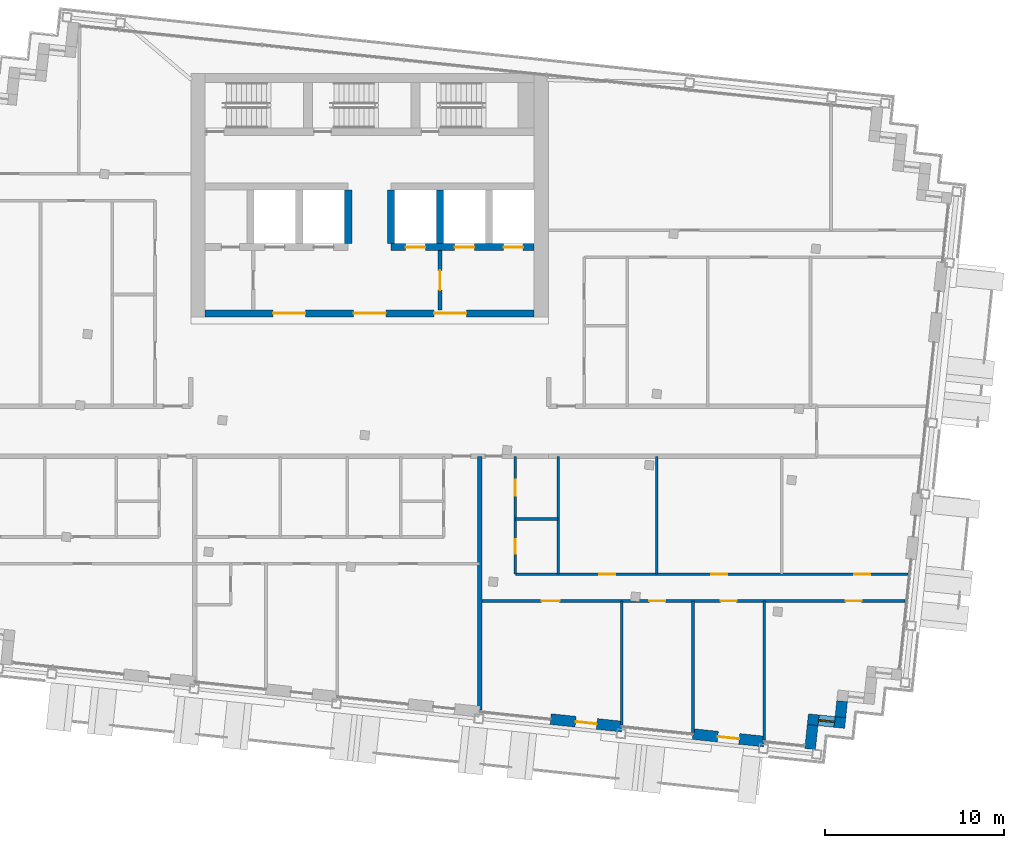
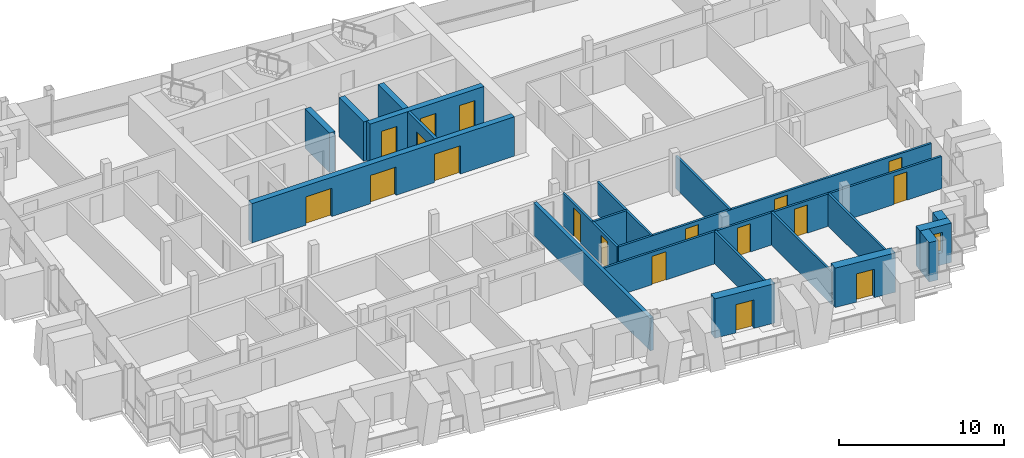
# One storey, part 10 of 16: 21 walls, 18 doors, 1 window, 19 openings.
"""IFC4 building model written with IfcOpenShell, lengths in metres."""

from ifc_helpers import new_model, si_unit, direction, frame, frame_2d, origin, place, context, subcontext, project, spatial, rectangle, extrude, material, layer, layer_set, type_object, element, fill, save


model = new_model("IFC4")

# Units and contexts
model_context = context("Model", 3, precision=1e-05, world=origin(), true_north=direction((0.0, 1.0)))
body_context = subcontext(model_context, "Body", "Model", "MODEL_VIEW")
ifc_project = project(units=[si_unit("LENGTHUNIT", "METRE"), si_unit("AREAUNIT", "SQUARE_METRE"), si_unit("VOLUMEUNIT", "CUBIC_METRE"), si_unit("PLANEANGLEUNIT", "RADIAN"), si_unit("MASSUNIT", "GRAM", prefix="KILO")], contexts=[model_context])

# Site, building, storey
site_placement = place(None, origin())
site = spatial("IfcSite", under=ifc_project, at=site_placement, CompositionType="ELEMENT")
building_placement = place(site_placement, origin())
building = spatial("IfcBuilding", under=site, at=building_placement, Name="Vidyagriha Tower", CompositionType="ELEMENT")
storey_placement = place(building_placement, frame((0.0, 0.0, 272.300048828125)))
storey = spatial("IfcBuildingStorey", under=building, at=storey_placement, Name="L71", CompositionType="ELEMENT", Elevation=272.300048828125)

# Wall, opening, door
ifc_material_1 = material(Name="Precast concrete C40/50 with brick facing", Category="concrete")
ifc_layer_1 = layer(ifc_material_1, 0.60009765625)
ifc_layer_set_1 = layer_set([ifc_layer_1], Name="Precast concrete C40/50 with brick facing")
wall_type_1 = type_object("IfcWallType", Name="Brick-faced precast wall 600", PredefinedType="STANDARD", material=ifc_layer_set_1)
wall_1_placement = place(storey_placement, frame((10.1201171875, -16.085205078125, 0.0), z_axis=(0.0, 0.0, 1.0), x_axis=(0.994519156568, -0.104554517933, 0.0)))
wall_1 = element("IfcWall", 1, at=wall_1_placement, inside=storey, type_object=wall_type_1, Name="Brick door bay wall L71 R21.9", PredefinedType="STANDARD", context=body_context, shape_type="SweptSolid", body=[
    extrude(rectangle(XDim=4.0, YDim=0.60009765625, at=frame_2d((2.0, 0.0))), origin(), (0.0, 0.0, 1.0), 2.919921875),
])
opening_1_placement = place(wall_1_placement, frame((1.39990234375, 0.0, 0.0)))
opening_1 = element("IfcOpeningElement", 2, at=opening_1_placement, cuts=wall_1, Name="Opening D71-57", PredefinedType="OPENING", context=body_context, shape_type="SweptSolid", body=[
    extrude(rectangle(XDim=1.199951171875, YDim=2.10009765625, at=frame_2d((0.60009765625, 1.050048828125))), frame((0.0, 0.31005859375, 0.0), z_axis=(0.0, -1.0, 0.0), x_axis=(1.0, 0.0, 0.0)), (0.0, 0.0, 1.0), 0.6201171875),
])
ifc_material_2 = material(Name="Aluminium framed glazed sliding door", Category="aluminium")
door_type_1 = type_object("IfcDoorType", Name="Balcony sliding door 1200x2100", OperationType="NOTDEFINED", PredefinedType="DOOR", material=ifc_material_2)
door_1_placement = place(opening_1_placement, origin())
door_1 = element("IfcDoor", 3, at=door_1_placement, inside=storey, type_object=door_type_1, Name="Door D71-57", OperationType="SLIDING_TO_LEFT", OverallHeight=2.10009765625, OverallWidth=1.199951171875, PredefinedType="DOOR", context=body_context, shape_type="SweptSolid", body=[
    extrude(rectangle(XDim=1.199951171875, YDim=2.10009765625, at=frame_2d((0.60009765625, 1.050048828125))), frame((0.0, 0.02490234375, 0.0), z_axis=(0.0, -1.0, 0.0), x_axis=(1.0, 0.0, 0.0)), (0.0, 0.0, 1.0), 0.050048828125),
])
fill(opening_1, door_1)

wall_2_placement = place(storey_placement, frame((18.076171875, -16.92138671875, 0.0), z_axis=(0.0, 0.0, 1.0), x_axis=(0.994519156568, -0.104554517933, 0.0)))
wall_2 = element("IfcWall", 4, at=wall_2_placement, inside=storey, type_object=wall_type_1, Name="Brick door bay wall L71 R21.11", PredefinedType="STANDARD", context=body_context, shape_type="SweptSolid", body=[
    extrude(rectangle(XDim=4.0, YDim=0.60009765625, at=frame_2d((2.0, 0.0))), origin(), (0.0, 0.0, 1.0), 2.919921875),
])
opening_2_placement = place(wall_2_placement, frame((1.39990234375, 0.0, 0.0)))
opening_2 = element("IfcOpeningElement", 5, at=opening_2_placement, cuts=wall_2, Name="Opening D71-58", PredefinedType="OPENING", context=body_context, shape_type="SweptSolid", body=[
    extrude(rectangle(XDim=1.199951171875, YDim=2.10009765625, at=frame_2d((0.60009765625, 1.050048828125))), frame((0.0, 0.31005859375, 0.0), z_axis=(0.0, -1.0, 0.0), x_axis=(1.0, 0.0, 0.0)), (0.0, 0.0, 1.0), 0.6201171875),
])
door_2_placement = place(opening_2_placement, origin())
door_2 = element("IfcDoor", 6, at=door_2_placement, inside=storey, type_object=door_type_1, Name="Door D71-58", OperationType="SLIDING_TO_LEFT", OverallHeight=2.10009765625, OverallWidth=1.199951171875, PredefinedType="DOOR", context=body_context, shape_type="SweptSolid", body=[
    extrude(rectangle(XDim=1.199951171875, YDim=2.10009765625, at=frame_2d((0.60009765625, 1.050048828125))), frame((0.0, 0.02490234375, 0.0), z_axis=(0.0, -1.0, 0.0), x_axis=(1.0, 0.0, 0.0)), (0.0, 0.0, 1.0), 0.050048828125),
])
fill(opening_2, door_2)

# Wall
wall_3_placement = place(storey_placement, frame((24.62451171875, -17.760498046875, 0.0), z_axis=(0.0, 0.0, 1.0), x_axis=(0.104355269718, 0.994540083497, 0.0)))
element("IfcWall", 7, at=wall_3_placement, inside=storey, type_object=wall_type_1, Name="Stepped corner wall L71 R22", PredefinedType="STANDARD", context=body_context, shape_type="SweptSolid", body=[
    extrude(rectangle(XDim=1.349853515625, YDim=0.60009765625, at=frame_2d((0.6748046875, 0.0))), origin(), (0.0, 0.0, 1.0), 2.919921875),
])

# Wall, opening, window
wall_4_placement = place(storey_placement, frame((24.49853515625, -16.088134765625, 0.0), z_axis=(0.0, 0.0, 1.0), x_axis=(0.994522640205, -0.104521376379, 0.0)))
wall_4 = element("IfcWall", 8, at=wall_4_placement, inside=storey, type_object=wall_type_1, Name="Stepped corner wall L71 R23", PredefinedType="STANDARD", context=body_context, shape_type="SweptSolid", body=[
    extrude(rectangle(XDim=2.099853515625, YDim=0.60009765625, at=frame_2d((1.0498046875, 0.0))), origin(), (0.0, 0.0, 1.0), 2.919921875),
])
opening_3_placement = place(wall_4_placement, frame((0.60009765625, 0.0, 0.89990234375)))
opening_3 = element("IfcOpeningElement", 9, at=opening_3_placement, cuts=wall_4, Name="Opening WN1", PredefinedType="OPENING", context=body_context, shape_type="SweptSolid", body=[
    extrude(rectangle(XDim=0.89990234375, YDim=1.5, at=frame_2d((0.449951171875, 0.75))), frame((0.0, 0.31005859375, 0.0), z_axis=(0.0, -1.0, 0.0), x_axis=(1.0, 0.0, 0.0)), (0.0, 0.0, 1.0), 0.6201171875),
])
ifc_material_3 = material(Name="Aluminium and glass window", Category="aluminium")
window_type = type_object("IfcWindowType", Name="Reveal window 900x1500", PartitioningType="NOTDEFINED", PredefinedType="WINDOW", material=ifc_material_3)
window_placement = place(opening_3_placement, origin())
window = element("IfcWindow", 10, at=window_placement, inside=storey, type_object=window_type, Name="Reveal window L71 R23", OverallHeight=1.5, OverallWidth=0.89990234375, PartitioningType="SINGLE_PANEL", PredefinedType="WINDOW", context=body_context, shape_type="SweptSolid", body=[
    extrude(rectangle(XDim=0.89990234375, YDim=1.5, at=frame_2d((0.449951171875, 0.75))), frame((0.0, 0.030029296875, 0.0), z_axis=(0.0, -1.0, 0.0), x_axis=(1.0, 0.0, 0.0)), (0.0, 0.0, 1.0), 0.06005859375),
])
fill(opening_3, window)

# Wall
wall_5_placement = place(storey_placement, frame((26.320068359375, -15.97802734375, 0.0), z_axis=(0.0, 0.0, 1.0), x_axis=(0.104444712852, 0.994530694326, 0.0)))
element("IfcWall", 11, at=wall_5_placement, inside=storey, type_object=wall_type_1, Name="Stepped corner wall L71 R24", PredefinedType="STANDARD", context=body_context, shape_type="SweptSolid", body=[
    extrude(rectangle(XDim=0.89990234375, YDim=0.60009765625, at=frame_2d((0.449951171875, 0.0))), origin(), (0.0, 0.0, 1.0), 2.919921875),
])

# Wall, openings, doors
ifc_material_4 = material(Name="Concrete C60/75", Category="concrete")
ifc_layer_2 = layer(ifc_material_4, 0.39990234375)
ifc_layer_set_2 = layer_set([ifc_layer_2], Name="Concrete C60/75")
wall_type_2 = type_object("IfcWallType", Name="Core shear wall 400 mm", PredefinedType="SHEAR", material=ifc_layer_set_2)
wall_6_placement = place(storey_placement, frame((-9.199951171875, 6.60009765625, 0.0)))
wall_6 = element("IfcWall", 12, at=wall_6_placement, inside=storey, type_object=wall_type_2, Name="Core south wall", PredefinedType="SHEAR", context=body_context, shape_type="SweptSolid", body=[
    extrude(rectangle(XDim=18.39990234375, YDim=0.39990234375, at=frame_2d((9.199951171875, 0.0))), origin(), (0.0, 0.0, 1.0), 2.919921875),
])
opening_4_placement = place(wall_6_placement, frame((8.300048828125, 0.0, 0.0)))
opening_4 = element("IfcOpeningElement", 13, at=opening_4_placement, cuts=wall_6, Name="Opening D71-01", PredefinedType="OPENING", context=body_context, shape_type="SweptSolid", body=[
    extrude(rectangle(XDim=1.800048828125, YDim=2.10009765625, at=frame_2d((0.89990234375, 1.050048828125))), frame((0.0, 0.2099609375, 0.0), z_axis=(0.0, -1.0, 0.0), x_axis=(1.0, 0.0, 0.0)), (0.0, 0.0, 1.0), 0.419921875),
])
opening_5_placement = place(wall_6_placement, frame((3.800048828125, 0.0, 0.0)))
opening_5 = element("IfcOpeningElement", 14, at=opening_5_placement, cuts=wall_6, Name="Opening D71-02", PredefinedType="OPENING", context=body_context, shape_type="SweptSolid", body=[
    extrude(rectangle(XDim=1.800048828125, YDim=2.10009765625, at=frame_2d((0.89990234375, 1.050048828125))), frame((0.0, 0.2099609375, 0.0), z_axis=(0.0, -1.0, 0.0), x_axis=(1.0, 0.0, 0.0)), (0.0, 0.0, 1.0), 0.419921875),
])
opening_6_placement = place(wall_6_placement, frame((12.800048828125, 0.0, 0.0)))
opening_6 = element("IfcOpeningElement", 15, at=opening_6_placement, cuts=wall_6, Name="Opening D71-03", PredefinedType="OPENING", context=body_context, shape_type="SweptSolid", body=[
    extrude(rectangle(XDim=1.800048828125, YDim=2.10009765625, at=frame_2d((0.89990234375, 1.050048828125))), frame((0.0, 0.2099609375, 0.0), z_axis=(0.0, -1.0, 0.0), x_axis=(1.0, 0.0, 0.0)), (0.0, 0.0, 1.0), 0.419921875),
])
ifc_material_5 = material(Name="Hollow metal door leaf")
door_type_2 = type_object("IfcDoorType", Name="Core lobby double door 1800 x 2100 mm EI 60", OperationType="NOTDEFINED", PredefinedType="DOOR", material=ifc_material_5)
door_3_placement = place(opening_4_placement, frame((1.800048828125, 0.0, 0.0), z_axis=(0.0, 0.0, 1.0), x_axis=(-1.0, 0.0, 0.0)))
door_3 = element("IfcDoor", 16, at=door_3_placement, inside=storey, type_object=door_type_2, Name="Core entrance door L71", OperationType="DOUBLE_DOOR_SINGLE_SWING", OverallHeight=2.10009765625, OverallWidth=1.800048828125, PredefinedType="DOOR", context=body_context, shape_type="SweptSolid", body=[
    extrude(rectangle(XDim=1.800048828125, YDim=2.10009765625, at=frame_2d((0.89990234375, 1.050048828125))), frame((0.0, 0.02490234375, 0.0), z_axis=(0.0, -1.0, 0.0), x_axis=(1.0, 0.0, 0.0)), (0.0, 0.0, 1.0), 0.050048828125),
])
fill(opening_4, door_3)
door_4_placement = place(opening_5_placement, frame((1.800048828125, 0.0, 0.0), z_axis=(0.0, 0.0, 1.0), x_axis=(-1.0, 0.0, 0.0)))
door_4 = element("IfcDoor", 17, at=door_4_placement, inside=storey, type_object=door_type_2, Name="Core entrance door west L71", OperationType="DOUBLE_DOOR_SINGLE_SWING", OverallHeight=2.10009765625, OverallWidth=1.800048828125, PredefinedType="DOOR", context=body_context, shape_type="SweptSolid", body=[
    extrude(rectangle(XDim=1.800048828125, YDim=2.10009765625, at=frame_2d((0.89990234375, 1.050048828125))), frame((0.0, 0.02490234375, 0.0), z_axis=(0.0, -1.0, 0.0), x_axis=(1.0, 0.0, 0.0)), (0.0, 0.0, 1.0), 0.050048828125),
])
fill(opening_5, door_4)
door_5_placement = place(opening_6_placement, frame((1.800048828125, 0.0, 0.0), z_axis=(0.0, 0.0, 1.0), x_axis=(-1.0, 0.0, 0.0)))
door_5 = element("IfcDoor", 18, at=door_5_placement, inside=storey, type_object=door_type_2, Name="Core entrance door east L71", OperationType="DOUBLE_DOOR_SINGLE_SWING", OverallHeight=2.10009765625, OverallWidth=1.800048828125, PredefinedType="DOOR", context=body_context, shape_type="SweptSolid", body=[
    extrude(rectangle(XDim=1.800048828125, YDim=2.10009765625, at=frame_2d((0.89990234375, 1.050048828125))), frame((0.0, 0.02490234375, 0.0), z_axis=(0.0, -1.0, 0.0), x_axis=(1.0, 0.0, 0.0)), (0.0, 0.0, 1.0), 0.050048828125),
])
fill(opening_6, door_5)

wall_7_placement = place(storey_placement, frame((1.199951171875, 10.300048828125, 0.0)))
wall_7 = element("IfcWall", 19, at=wall_7_placement, inside=storey, type_object=wall_type_2, Name="Core row N front wall", PredefinedType="SHEAR", context=body_context, shape_type="SweptSolid", body=[
    extrude(rectangle(XDim=8.0, YDim=0.39990234375, at=frame_2d((4.0, 0.0))), origin(), (0.0, 0.0, 1.0), 2.919921875),
])
opening_7_placement = place(wall_7_placement, frame((0.816650390625, 0.0, 0.0)))
opening_7 = element("IfcOpeningElement", 20, at=opening_7_placement, cuts=wall_7, Name="Opening LD71-03", PredefinedType="OPENING", context=body_context, shape_type="SweptSolid", body=[
    extrude(rectangle(XDim=1.10009765625, YDim=2.10009765625, at=frame_2d((0.550048828125, 1.050048828125))), frame((0.0, 0.2099609375, 0.0), z_axis=(0.0, -1.0, 0.0), x_axis=(1.0, 0.0, 0.0)), (0.0, 0.0, 1.0), 0.419921875),
])
opening_8_placement = place(wall_7_placement, frame((3.550048828125, 0.0, 0.0)))
opening_8 = element("IfcOpeningElement", 21, at=opening_8_placement, cuts=wall_7, Name="Opening LD71-04", PredefinedType="OPENING", context=body_context, shape_type="SweptSolid", body=[
    extrude(rectangle(XDim=1.10009765625, YDim=2.10009765625, at=frame_2d((0.550048828125, 1.050048828125))), frame((0.0, 0.2099609375, 0.0), z_axis=(0.0, -1.0, 0.0), x_axis=(1.0, 0.0, 0.0)), (0.0, 0.0, 1.0), 0.419921875),
])
opening_9_placement = place(wall_7_placement, frame((6.283203125, 0.0, 0.0)))
opening_9 = element("IfcOpeningElement", 22, at=opening_9_placement, cuts=wall_7, Name="Opening LD71-05", PredefinedType="OPENING", context=body_context, shape_type="SweptSolid", body=[
    extrude(rectangle(XDim=1.10009765625, YDim=2.10009765625, at=frame_2d((0.550048828125, 1.050048828125))), frame((0.0, 0.2099609375, 0.0), z_axis=(0.0, -1.0, 0.0), x_axis=(1.0, 0.0, 0.0)), (0.0, 0.0, 1.0), 0.419921875),
])
ifc_material_6 = material(Name="Stainless steel sliding door panel", Category="steel")
door_type_3 = type_object("IfcDoorType", Name="Lift landing door 1100 x 2100 mm EI 90", OperationType="NOTDEFINED", PredefinedType="DOOR", material=ifc_material_6)
door_6_placement = place(opening_7_placement, origin())
door_6 = element("IfcDoor", 23, at=door_6_placement, inside=storey, type_object=door_type_3, Name="Landing door HR3 L71", OperationType="SLIDING_TO_LEFT", OverallHeight=2.10009765625, OverallWidth=1.10009765625, PredefinedType="DOOR", context=body_context, shape_type="SweptSolid", body=[
    extrude(rectangle(XDim=1.10009765625, YDim=2.10009765625, at=frame_2d((0.550048828125, 1.050048828125))), frame((0.0, 0.02490234375, 0.0), z_axis=(0.0, -1.0, 0.0), x_axis=(1.0, 0.0, 0.0)), (0.0, 0.0, 1.0), 0.050048828125),
])
fill(opening_7, door_6)
door_7_placement = place(opening_8_placement, origin())
door_7 = element("IfcDoor", 24, at=door_7_placement, inside=storey, type_object=door_type_3, Name="Landing door FF1 L71", OperationType="SLIDING_TO_LEFT", OverallHeight=2.10009765625, OverallWidth=1.10009765625, PredefinedType="DOOR", context=body_context, shape_type="SweptSolid", body=[
    extrude(rectangle(XDim=1.10009765625, YDim=2.10009765625, at=frame_2d((0.550048828125, 1.050048828125))), frame((0.0, 0.02490234375, 0.0), z_axis=(0.0, -1.0, 0.0), x_axis=(1.0, 0.0, 0.0)), (0.0, 0.0, 1.0), 0.050048828125),
])
fill(opening_8, door_7)
door_8_placement = place(opening_9_placement, origin())
door_8 = element("IfcDoor", 25, at=door_8_placement, inside=storey, type_object=door_type_3, Name="Landing door FF2 L71", OperationType="SLIDING_TO_LEFT", OverallHeight=2.10009765625, OverallWidth=1.10009765625, PredefinedType="DOOR", context=body_context, shape_type="SweptSolid", body=[
    extrude(rectangle(XDim=1.10009765625, YDim=2.10009765625, at=frame_2d((0.550048828125, 1.050048828125))), frame((0.0, 0.02490234375, 0.0), z_axis=(0.0, -1.0, 0.0), x_axis=(1.0, 0.0, 0.0)), (0.0, 0.0, 1.0), 0.050048828125),
])
fill(opening_9, door_8)

# Walls
for number, where, z_axis, x_axis, name in (
    (26, (-1.199951171875, 10.5, 0.0), (0.0, 0.0, 1.0), (0.0, 1.0, 0.0), "Core bay wall N3"),
    (27, (1.199951171875, 10.5, 0.0), (0.0, 0.0, 1.0), (0.0, 1.0, 0.0), "Core bay wall N4"),
    (28, (3.933349609375, 10.5, 0.0), (0.0, 0.0, 1.0), (0.0, 1.0, 0.0), "Core bay wall N5"),
):
    element("IfcWall", number, at=place(storey_placement, frame(where, z_axis=z_axis, x_axis=x_axis)), inside=storey, type_object=wall_type_2, Name=name, PredefinedType="SHEAR", context=body_context, shape_type="SweptSolid", body=[
        extrude(rectangle(XDim=3.0, YDim=0.39990234375, at=frame_2d((1.5, 0.0))), origin(), (0.0, 0.0, 1.0), 2.919921875),
    ])
ifc_material_7 = material(Name="Fired clay brick masonry", Category="masonry")
ifc_layer_3 = layer(ifc_material_7, 0.25)
ifc_layer_set_3 = layer_set([ifc_layer_3], Name="Fired clay brick masonry")
wall_type_3 = type_object("IfcWallType", Name="Fired clay brick demising wall 250", PredefinedType="PARTITIONING", material=ifc_layer_set_3)
wall_8_placement = place(storey_placement, frame((6.14208984375, -1.39990234375, 0.0), z_axis=(0.0, 0.0, 1.0), x_axis=(0.0, -1.0, 0.0)))
element("IfcWall", 29, at=wall_8_placement, inside=storey, type_object=wall_type_3, Name="Wall all-L71-w055", PredefinedType="PARTITIONING", context=body_context, shape_type="SweptSolid", body=[
    extrude(rectangle(XDim=14.1767578125, YDim=0.25, at=frame_2d((7.08837890625, 0.0))), origin(), (0.0, 0.0, 1.0), 2.39990234375),
])
ifc_material_8 = material(Name="Gypsum board partition")
ifc_layer_4 = layer(ifc_material_8, 0.14990234375)
ifc_layer_set_4 = layer_set([ifc_layer_4], Name="Gypsum board partition")
wall_type_4 = type_object("IfcWallType", Name="Gypsum board partition 150", PredefinedType="PARTITIONING", material=ifc_layer_set_4)
wall_9_placement = place(storey_placement, frame((10.5419921875, -4.89990234375, 0.0), z_axis=(0.0, 0.0, 1.0), x_axis=(-1.0, 0.0, 0.0)))
element("IfcWall", 30, at=wall_9_placement, inside=storey, type_object=wall_type_4, Name="Wall all-L71-w038", PredefinedType="PARTITIONING", context=body_context, shape_type="SweptSolid", body=[
    extrude(rectangle(XDim=2.39990234375, YDim=0.14990234375, at=frame_2d((1.199951171875, 0.0))), origin(), (0.0, 0.0, 1.0), 2.39990234375),
])
for number, where, z_axis, x_axis, name in (
    (31, (10.5419921875, -1.39990234375, 0.0), (0.0, 0.0, 1.0), (0.0, -1.0, 0.0), "Wall all-L71-w039"),
    (32, (16.0419921875, -1.39990234375, 0.0), (0.0, 0.0, 1.0), (0.0, -1.0, 0.0), "Wall all-L71-w040"),
):
    element("IfcWall", number, at=place(storey_placement, frame(where, z_axis=z_axis, x_axis=x_axis)), inside=storey, type_object=wall_type_4, Name=name, PredefinedType="PARTITIONING", context=body_context, shape_type="SweptSolid", body=[
        extrude(rectangle(XDim=6.581787109375, YDim=0.14990234375, at=frame_2d((3.291015625, 0.0))), origin(), (0.0, 0.0, 1.0), 2.39990234375),
    ])

# Wall, openings, doors
wall_10_placement = place(storey_placement, frame((8.14208984375, -7.981689453125, 0.0)))
wall_10 = element("IfcWall", 33, at=wall_10_placement, inside=storey, type_object=wall_type_4, Name="Wall all-L71-w042", PredefinedType="PARTITIONING", context=body_context, shape_type="SweptSolid", body=[
    extrude(rectangle(XDim=21.955322265625, YDim=0.14990234375, at=frame_2d((10.9775390625, 0.0))), origin(), (0.0, 0.0, 1.0), 2.39990234375),
])
opening_10_placement = place(wall_10_placement, frame((4.699951171875, 0.0, 0.0)))
opening_10 = element("IfcOpeningElement", 34, at=opening_10_placement, cuts=wall_10, Name="Opening D71-28", PredefinedType="OPENING", context=body_context, shape_type="SweptSolid", body=[
    extrude(rectangle(XDim=0.89990234375, YDim=2.10009765625, at=frame_2d((0.449951171875, 1.050048828125))), frame((0.0, 0.0849609375, 0.0), z_axis=(0.0, -1.0, 0.0), x_axis=(1.0, 0.0, 0.0)), (0.0, 0.0, 1.0), 0.169921875),
])
opening_11_placement = place(wall_10_placement, frame((10.949951171875, 0.0, 0.0)))
opening_11 = element("IfcOpeningElement", 35, at=opening_11_placement, cuts=wall_10, Name="Opening D71-29", PredefinedType="OPENING", context=body_context, shape_type="SweptSolid", body=[
    extrude(rectangle(XDim=0.89990234375, YDim=2.10009765625, at=frame_2d((0.449951171875, 1.050048828125))), frame((0.0, 0.0849609375, 0.0), z_axis=(0.0, -1.0, 0.0), x_axis=(1.0, 0.0, 0.0)), (0.0, 0.0, 1.0), 0.169921875),
])
opening_12_placement = place(wall_10_placement, frame((18.95751953125, 0.0, 0.0)))
opening_12 = element("IfcOpeningElement", 36, at=opening_12_placement, cuts=wall_10, Name="Opening D71-30", PredefinedType="OPENING", context=body_context, shape_type="SweptSolid", body=[
    extrude(rectangle(XDim=0.89990234375, YDim=2.10009765625, at=frame_2d((0.449951171875, 1.050048828125))), frame((0.0, 0.0849609375, 0.0), z_axis=(0.0, -1.0, 0.0), x_axis=(1.0, 0.0, 0.0)), (0.0, 0.0, 1.0), 0.169921875),
])
ifc_material_9 = material(Name="Timber door leaf", Category="wood")
door_type_4 = type_object("IfcDoorType", Name="Room door 900x2100", OperationType="NOTDEFINED", PredefinedType="DOOR", material=ifc_material_9)
door_9_placement = place(opening_10_placement, origin())
door_9 = element("IfcDoor", 37, at=door_9_placement, inside=storey, type_object=door_type_4, Name="Door D71-28", OperationType="SINGLE_SWING_LEFT", OverallHeight=2.10009765625, OverallWidth=0.89990234375, PredefinedType="DOOR", context=body_context, shape_type="SweptSolid", body=[
    extrude(rectangle(XDim=0.89990234375, YDim=2.10009765625, at=frame_2d((0.449951171875, 1.050048828125))), frame((0.0, 0.02490234375, 0.0), z_axis=(0.0, -1.0, 0.0), x_axis=(1.0, 0.0, 0.0)), (0.0, 0.0, 1.0), 0.050048828125),
])
fill(opening_10, door_9)
door_10_placement = place(opening_11_placement, origin())
door_10 = element("IfcDoor", 38, at=door_10_placement, inside=storey, type_object=door_type_4, Name="Door D71-29", OperationType="SINGLE_SWING_RIGHT", OverallHeight=2.10009765625, OverallWidth=0.89990234375, PredefinedType="DOOR", context=body_context, shape_type="SweptSolid", body=[
    extrude(rectangle(XDim=0.89990234375, YDim=2.10009765625, at=frame_2d((0.449951171875, 1.050048828125))), frame((0.0, 0.02490234375, 0.0), z_axis=(0.0, -1.0, 0.0), x_axis=(1.0, 0.0, 0.0)), (0.0, 0.0, 1.0), 0.050048828125),
])
fill(opening_11, door_10)
door_11_placement = place(opening_12_placement, origin())
door_11 = element("IfcDoor", 39, at=door_11_placement, inside=storey, type_object=door_type_4, Name="Door D71-30", OperationType="SINGLE_SWING_RIGHT", OverallHeight=2.10009765625, OverallWidth=0.89990234375, PredefinedType="DOOR", context=body_context, shape_type="SweptSolid", body=[
    extrude(rectangle(XDim=0.89990234375, YDim=2.10009765625, at=frame_2d((0.449951171875, 1.050048828125))), frame((0.0, 0.02490234375, 0.0), z_axis=(0.0, -1.0, 0.0), x_axis=(1.0, 0.0, 0.0)), (0.0, 0.0, 1.0), 0.050048828125),
])
fill(opening_12, door_11)

wall_11_placement = place(storey_placement, frame((29.939697265625, -9.481689453125, 0.0), z_axis=(0.0, 0.0, 1.0), x_axis=(-1.0, 0.0, 0.0)))
wall_11 = element("IfcWall", 40, at=wall_11_placement, inside=storey, type_object=wall_type_4, Name="Wall all-L71-w046", PredefinedType="PARTITIONING", context=body_context, shape_type="SweptSolid", body=[
    extrude(rectangle(XDim=23.797607421875, YDim=0.14990234375, at=frame_2d((11.89892578125, 0.0))), origin(), (0.0, 0.0, 1.0), 2.39990234375),
])
opening_13_placement = place(wall_11_placement, frame((19.319580078125, 0.0, 0.0)))
opening_13 = element("IfcOpeningElement", 41, at=opening_13_placement, cuts=wall_11, Name="Opening D71-31", PredefinedType="OPENING", context=body_context, shape_type="SweptSolid", body=[
    extrude(rectangle(XDim=1.0, YDim=2.10009765625, at=frame_2d((0.5, 1.050048828125))), frame((0.0, 0.0849609375, 0.0), z_axis=(0.0, -1.0, 0.0), x_axis=(1.0, 0.0, 0.0)), (0.0, 0.0, 1.0), 0.169921875),
])
opening_14_placement = place(wall_11_placement, frame((13.402587890625, 0.0, 0.0)))
opening_14 = element("IfcOpeningElement", 42, at=opening_14_placement, cuts=wall_11, Name="Opening D71-32", PredefinedType="OPENING", context=body_context, shape_type="SweptSolid", body=[
    extrude(rectangle(XDim=0.89990234375, YDim=2.10009765625, at=frame_2d((0.449951171875, 1.050048828125))), frame((0.0, 0.0849609375, 0.0), z_axis=(0.0, -1.0, 0.0), x_axis=(1.0, 0.0, 0.0)), (0.0, 0.0, 1.0), 0.169921875),
])
opening_15_placement = place(wall_11_placement, frame((9.424560546875, 0.0, 0.0)))
opening_15 = element("IfcOpeningElement", 43, at=opening_15_placement, cuts=wall_11, Name="Opening D71-33", PredefinedType="OPENING", context=body_context, shape_type="SweptSolid", body=[
    extrude(rectangle(XDim=0.89990234375, YDim=2.10009765625, at=frame_2d((0.449951171875, 1.050048828125))), frame((0.0, 0.0849609375, 0.0), z_axis=(0.0, -1.0, 0.0), x_axis=(1.0, 0.0, 0.0)), (0.0, 0.0, 1.0), 0.169921875),
])
opening_16_placement = place(wall_11_placement, frame((2.43408203125, 0.0, 0.0)))
opening_16 = element("IfcOpeningElement", 44, at=opening_16_placement, cuts=wall_11, Name="Opening D71-34", PredefinedType="OPENING", context=body_context, shape_type="SweptSolid", body=[
    extrude(rectangle(XDim=0.89990234375, YDim=2.10009765625, at=frame_2d((0.449951171875, 1.050048828125))), frame((0.0, 0.0849609375, 0.0), z_axis=(0.0, -1.0, 0.0), x_axis=(1.0, 0.0, 0.0)), (0.0, 0.0, 1.0), 0.169921875),
])
ifc_material_10 = material(Name="Timber door leaf", Category="wood")
door_type_5 = type_object("IfcDoorType", Name="Room door 1000x2100", OperationType="NOTDEFINED", PredefinedType="DOOR", material=ifc_material_10)
door_12_placement = place(opening_13_placement, origin())
door_12 = element("IfcDoor", 45, at=door_12_placement, inside=storey, type_object=door_type_5, Name="Door D71-31", OperationType="SINGLE_SWING_LEFT", OverallHeight=2.10009765625, OverallWidth=1.0, PredefinedType="DOOR", context=body_context, shape_type="SweptSolid", body=[
    extrude(rectangle(XDim=1.0, YDim=2.10009765625, at=frame_2d((0.5, 1.050048828125))), frame((0.0, 0.02490234375, 0.0), z_axis=(0.0, -1.0, 0.0), x_axis=(1.0, 0.0, 0.0)), (0.0, 0.0, 1.0), 0.050048828125),
])
fill(opening_13, door_12)
door_13_placement = place(opening_14_placement, origin())
door_13 = element("IfcDoor", 46, at=door_13_placement, inside=storey, type_object=door_type_4, Name="Door D71-32", OperationType="SINGLE_SWING_RIGHT", OverallHeight=2.10009765625, OverallWidth=0.89990234375, PredefinedType="DOOR", context=body_context, shape_type="SweptSolid", body=[
    extrude(rectangle(XDim=0.89990234375, YDim=2.10009765625, at=frame_2d((0.449951171875, 1.050048828125))), frame((0.0, 0.02490234375, 0.0), z_axis=(0.0, -1.0, 0.0), x_axis=(1.0, 0.0, 0.0)), (0.0, 0.0, 1.0), 0.050048828125),
])
fill(opening_14, door_13)
door_14_placement = place(opening_15_placement, origin())
door_14 = element("IfcDoor", 47, at=door_14_placement, inside=storey, type_object=door_type_4, Name="Door D71-33", OperationType="SINGLE_SWING_RIGHT", OverallHeight=2.10009765625, OverallWidth=0.89990234375, PredefinedType="DOOR", context=body_context, shape_type="SweptSolid", body=[
    extrude(rectangle(XDim=0.89990234375, YDim=2.10009765625, at=frame_2d((0.449951171875, 1.050048828125))), frame((0.0, 0.02490234375, 0.0), z_axis=(0.0, -1.0, 0.0), x_axis=(1.0, 0.0, 0.0)), (0.0, 0.0, 1.0), 0.050048828125),
])
fill(opening_15, door_14)
door_15_placement = place(opening_16_placement, origin())
door_15 = element("IfcDoor", 48, at=door_15_placement, inside=storey, type_object=door_type_4, Name="Door D71-34", OperationType="SINGLE_SWING_LEFT", OverallHeight=2.10009765625, OverallWidth=0.89990234375, PredefinedType="DOOR", context=body_context, shape_type="SweptSolid", body=[
    extrude(rectangle(XDim=0.89990234375, YDim=2.10009765625, at=frame_2d((0.449951171875, 1.050048828125))), frame((0.0, 0.02490234375, 0.0), z_axis=(0.0, -1.0, 0.0), x_axis=(1.0, 0.0, 0.0)), (0.0, 0.0, 1.0), 0.050048828125),
])
fill(opening_16, door_15)

# Walls
wall_12_placement = place(storey_placement, frame((14.09814453125, -9.481689453125, 0.0), z_axis=(0.0, 0.0, 1.0), x_axis=(0.0, -1.0, 0.0)))
element("IfcWall", 49, at=wall_12_placement, inside=storey, type_object=wall_type_4, Name="Wall all-L71-w051", PredefinedType="PARTITIONING", context=body_context, shape_type="SweptSolid", body=[
    extrude(rectangle(XDim=6.93115234375, YDim=0.14990234375, at=frame_2d((3.465576171875, 0.0))), origin(), (0.0, 0.0, 1.0), 2.39990234375),
])
wall_13_placement = place(storey_placement, frame((18.076171875, -9.481689453125, 0.0), z_axis=(0.0, 0.0, 1.0), x_axis=(0.0, -1.0, 0.0)))
element("IfcWall", 50, at=wall_13_placement, inside=storey, type_object=wall_type_4, Name="Wall all-L71-w052", PredefinedType="PARTITIONING", context=body_context, shape_type="SweptSolid", body=[
    extrude(rectangle(XDim=7.3603515625, YDim=0.14990234375, at=frame_2d((3.68017578125, 0.0))), origin(), (0.0, 0.0, 1.0), 2.39990234375),
])
wall_14_placement = place(storey_placement, frame((22.05419921875, -9.481689453125, 0.0), z_axis=(0.0, 0.0, 1.0), x_axis=(0.0, -1.0, 0.0)))
element("IfcWall", 51, at=wall_14_placement, inside=storey, type_object=wall_type_4, Name="Wall all-L71-w053", PredefinedType="PARTITIONING", context=body_context, shape_type="SweptSolid", body=[
    extrude(rectangle(XDim=7.767333984375, YDim=0.14990234375, at=frame_2d((3.8837890625, 0.0))), origin(), (0.0, 0.0, 1.0), 2.39990234375),
])

# Wall, openings, doors
ifc_material_11 = material(Name="Moisture resistant gypsum board partition")
ifc_layer_5 = layer(ifc_material_11, 0.14990234375)
ifc_layer_set_5 = layer_set([ifc_layer_5], Name="Moisture resistant gypsum board partition")
wall_type_5 = type_object("IfcWallType", Name="Gypsum board wet-area partition 150", PredefinedType="PARTITIONING", material=ifc_layer_set_5)
wall_15_placement = place(storey_placement, frame((8.14208984375, -1.39990234375, 0.0), z_axis=(0.0, 0.0, 1.0), x_axis=(0.0, -1.0, 0.0)))
wall_15 = element("IfcWall", 52, at=wall_15_placement, inside=storey, type_object=wall_type_5, Name="Wall all-L71-w035", PredefinedType="PARTITIONING", context=body_context, shape_type="SweptSolid", body=[
    extrude(rectangle(XDim=6.581787109375, YDim=0.14990234375, at=frame_2d((3.291015625, 0.0))), origin(), (0.0, 0.0, 1.0), 2.39990234375),
])
opening_17_placement = place(wall_15_placement, frame((1.300048828125, 0.0, 0.0)))
opening_17 = element("IfcOpeningElement", 53, at=opening_17_placement, cuts=wall_15, Name="Opening D71-26", PredefinedType="OPENING", context=body_context, shape_type="SweptSolid", body=[
    extrude(rectangle(XDim=0.89990234375, YDim=2.10009765625, at=frame_2d((0.449951171875, 1.050048828125))), frame((0.0, 0.0849609375, 0.0), z_axis=(0.0, -1.0, 0.0), x_axis=(1.0, 0.0, 0.0)), (0.0, 0.0, 1.0), 0.169921875),
])
opening_18_placement = place(wall_15_placement, frame((4.640869140625, 0.0, 0.0)))
opening_18 = element("IfcOpeningElement", 54, at=opening_18_placement, cuts=wall_15, Name="Opening D71-27", PredefinedType="OPENING", context=body_context, shape_type="SweptSolid", body=[
    extrude(rectangle(XDim=0.800048828125, YDim=2.10009765625, at=frame_2d((0.39990234375, 1.050048828125))), frame((0.0, 0.0849609375, 0.0), z_axis=(0.0, -1.0, 0.0), x_axis=(1.0, 0.0, 0.0)), (0.0, 0.0, 1.0), 0.169921875),
])
ifc_material_12 = material(Name="Timber door leaf", Category="wood")
door_type_6 = type_object("IfcDoorType", Name="Bathroom door 800x2100", OperationType="NOTDEFINED", PredefinedType="DOOR", material=ifc_material_12)
door_16_placement = place(opening_18_placement, origin())
door_16 = element("IfcDoor", 55, at=door_16_placement, inside=storey, type_object=door_type_6, Name="Door D71-27", OperationType="SINGLE_SWING_RIGHT", OverallHeight=2.10009765625, OverallWidth=0.800048828125, PredefinedType="DOOR", context=body_context, shape_type="SweptSolid", body=[
    extrude(rectangle(XDim=0.800048828125, YDim=2.10009765625, at=frame_2d((0.39990234375, 1.050048828125))), frame((0.0, 0.02490234375, 0.0), z_axis=(0.0, -1.0, 0.0), x_axis=(1.0, 0.0, 0.0)), (0.0, 0.0, 1.0), 0.050048828125),
])
fill(opening_18, door_16)
ifc_material_13 = material(Name="Timber door leaf", Category="wood")
door_type_7 = type_object("IfcDoorType", Name="Kitchen door 900x2100", OperationType="NOTDEFINED", PredefinedType="DOOR", material=ifc_material_13)
door_17_placement = place(opening_17_placement, origin())
door_17 = element("IfcDoor", 56, at=door_17_placement, inside=storey, type_object=door_type_7, Name="Door D71-26", OperationType="SINGLE_SWING_LEFT", OverallHeight=2.10009765625, OverallWidth=0.89990234375, PredefinedType="DOOR", context=body_context, shape_type="SweptSolid", body=[
    extrude(rectangle(XDim=0.89990234375, YDim=2.10009765625, at=frame_2d((0.449951171875, 1.050048828125))), frame((0.0, 0.02490234375, 0.0), z_axis=(0.0, -1.0, 0.0), x_axis=(1.0, 0.0, 0.0)), (0.0, 0.0, 1.0), 0.050048828125),
])
fill(opening_17, door_17)

# Wall, opening, door
ifc_material_14 = material(Name="Blockwork 15 MPa", Category="masonry")
ifc_layer_6 = layer(ifc_material_14, 0.199951171875)
ifc_layer_set_6 = layer_set([ifc_layer_6], Name="Blockwork 15 MPa")
wall_type_6 = type_object("IfcWallType", Name="Service room partition 200 mm", PredefinedType="PARTITIONING", material=ifc_layer_set_6)
wall_16_placement = place(storey_placement, frame((3.933349609375, 6.800048828125, 0.0), z_axis=(0.0, 0.0, 1.0), x_axis=(0.0, 1.0, 0.0)))
wall_16 = element("IfcWall", 57, at=wall_16_placement, inside=storey, type_object=wall_type_6, Name="Fire-fighting lobby west wall", PredefinedType="PARTITIONING", context=body_context, shape_type="SweptSolid", body=[
    extrude(rectangle(XDim=3.300048828125, YDim=0.199951171875, at=frame_2d((1.64990234375, 0.0))), origin(), (0.0, 0.0, 1.0), 2.919921875),
])
opening_19_placement = place(wall_16_placement, frame((1.10009765625, 0.0, 0.0)))
opening_19 = element("IfcOpeningElement", 58, at=opening_19_placement, cuts=wall_16, Name="Opening D71-05", PredefinedType="OPENING", context=body_context, shape_type="SweptSolid", body=[
    extrude(rectangle(XDim=1.10009765625, YDim=2.10009765625, at=frame_2d((0.550048828125, 1.050048828125))), frame((0.0, 0.10986328125, 0.0), z_axis=(0.0, -1.0, 0.0), x_axis=(1.0, 0.0, 0.0)), (0.0, 0.0, 1.0), 0.219970703125),
])
ifc_material_15 = material(Name="Hollow metal door leaf")
door_type_8 = type_object("IfcDoorType", Name="Fire-fighting lobby door 1100 x 2100 mm EI 90", OperationType="NOTDEFINED", PredefinedType="DOOR", material=ifc_material_15)
door_18_placement = place(opening_19_placement, origin())
door_18 = element("IfcDoor", 59, at=door_18_placement, inside=storey, type_object=door_type_8, Name="Fire-fighting lobby door L71", OperationType="SINGLE_SWING_RIGHT", OverallHeight=2.10009765625, OverallWidth=1.10009765625, PredefinedType="DOOR", context=body_context, shape_type="SweptSolid", body=[
    extrude(rectangle(XDim=1.10009765625, YDim=2.10009765625, at=frame_2d((0.550048828125, 1.050048828125))), frame((0.0, 0.02490234375, 0.0), z_axis=(0.0, -1.0, 0.0), x_axis=(1.0, 0.0, 0.0)), (0.0, 0.0, 1.0), 0.050048828125),
])
fill(opening_19, door_18)

save(model, "model.ifc")
